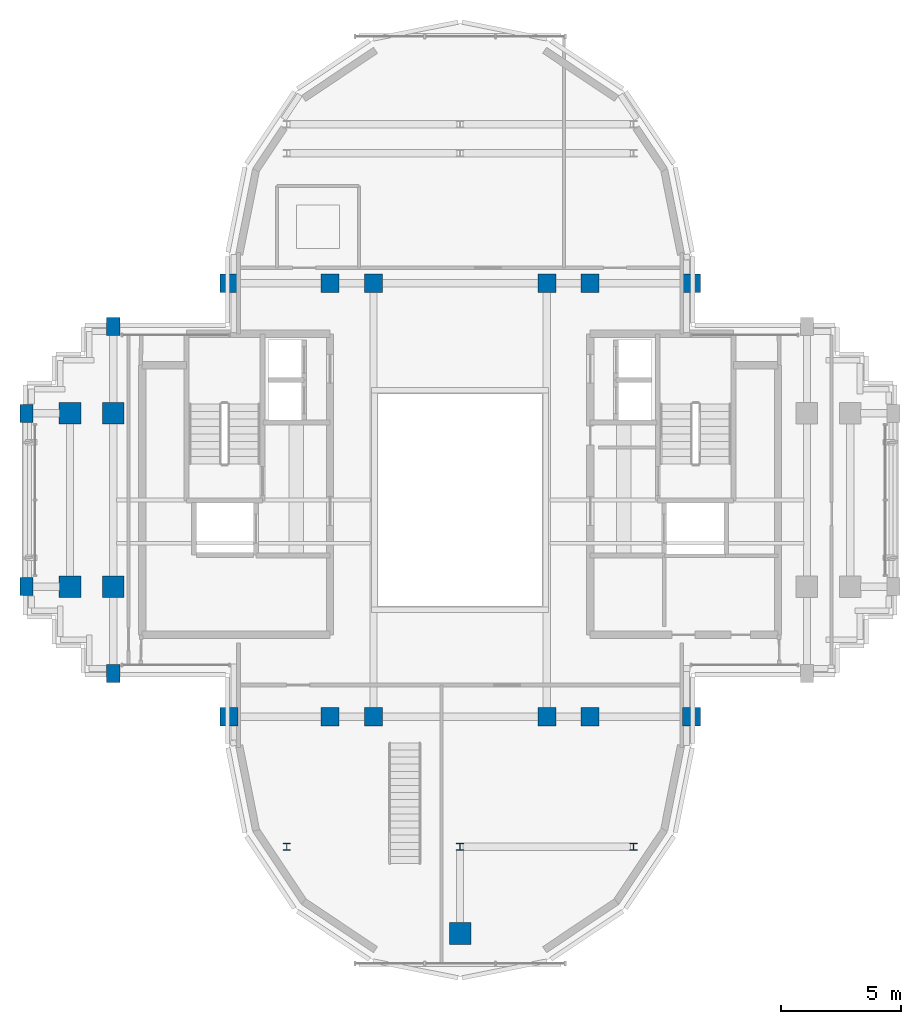
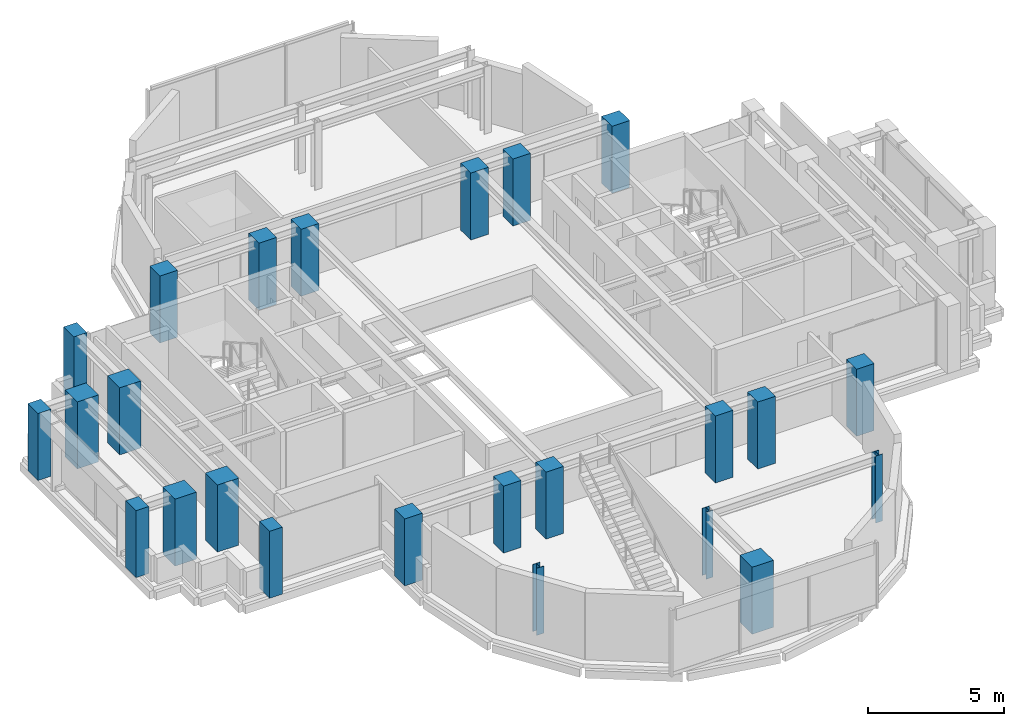
# One storey, part 1 of 12: 24 columns.
"""IFC4 building model written with IfcOpenShell, lengths in metres."""

from ifc_helpers import new_model, si_unit, direction, frame, origin, origin_2d, place, context, subcontext, project, spatial, rectangle, i_section, extrude, source, transform, mapped, material, material_profile, profile_set, type_object, element, save


model = new_model("IFC4")

# Units and contexts
model_context = context("Model", 3, precision=1e-05, world=origin(), true_north=direction((0.0, 1.0)))
body_context = subcontext(model_context, "Body", "Model", "MODEL_VIEW")
ifc_project = project(units=[si_unit("LENGTHUNIT", "METRE"), si_unit("AREAUNIT", "SQUARE_METRE"), si_unit("VOLUMEUNIT", "CUBIC_METRE"), si_unit("PLANEANGLEUNIT", "RADIAN"), si_unit("MASSUNIT", "GRAM", prefix="KILO")], contexts=[model_context])

# Site, building, storey
site_placement = place(None, origin())
site = spatial("IfcSite", under=ifc_project, at=site_placement, CompositionType="ELEMENT")
building_placement = place(site_placement, origin())
building = spatial("IfcBuilding", under=site, at=building_placement, Name="Keilestroom Media Tower", CompositionType="ELEMENT")
storey_placement = place(building_placement, frame((0.0, 0.0, 239.60009765625)))
storey = spatial("IfcBuildingStorey", under=building, at=storey_placement, Name="L66", CompositionType="ELEMENT", Elevation=239.60009765625)

# Columns
ifc_material_1 = material(Name="Precast concrete C40/50", Category="concrete")
ifc_material_profile_1 = material_profile(ifc_material_1, rectangle(XDim=0.550048828125, YDim=0.75, at=origin_2d()), Name="PC 750x550")
ifc_profile_set_1 = profile_set([ifc_material_profile_1], Name="Precast concrete C40/50")
column_type_1 = type_object("IfcColumnType", Name="Structural-Column-PC-750x550", PredefinedType="COLUMN", material=ifc_profile_set_1)
shared_shape_1 = source(origin(), body_context, "Body", "SweptSolid", [
    extrude(rectangle(XDim=0.550048828125, YDim=0.75, at=origin_2d()), origin(), (0.0, 0.0, 1.0), 3.010009765625),
])
for number, where, z_axis, x_axis, name in (
    (1, (-18.0, -3.60009765625, 0.0), (0.0, 0.0, 1.0), (1.0, 0.0, 0.0), "L66 Column PC-3 (-18.0,-3.6)"),
    (2, (-18.0, 3.60009765625, 0.0), (0.0, 0.0, 1.0), (1.0, 0.0, 0.0), "L66 Column PC-3 (-18.0,+3.6)"),
    (3, (-14.39990234375, -7.199951171875, 0.0), (0.0, 0.0, 1.0), (1.0, 0.0, 0.0), "L66 Column PC-3 (-14.4,-7.2)"),
    (4, (-14.39990234375, 7.199951171875, 0.0), (0.0, 0.0, 1.0), (1.0, 0.0, 0.0), "L66 Column PC-3 (-14.4,+7.2)"),
):
    element("IfcColumn", number, at=place(storey_placement, frame(where, z_axis=z_axis, x_axis=x_axis)), inside=storey, type_object=column_type_1, Name=name, PredefinedType="COLUMN", context=body_context, shape_type="MappedRepresentation", body=[
        mapped(shared_shape_1, transform((0.0, 0.0, 0.0), x_axis=(1.0, 0.0, 0.0), y_axis=(0.0, 1.0, 0.0), z_axis=(0.0, 0.0, 1.0), scale=1.0)),
    ])
ifc_material_2 = material(Name="Concrete C55/67", Category="concrete")
ifc_material_profile_2 = material_profile(ifc_material_2, rectangle(XDim=0.89990234375, YDim=0.89990234375, at=origin_2d()), Name="RC 900x900")
ifc_profile_set_2 = profile_set([ifc_material_profile_2], Name="Concrete C55/67")
column_type_2 = type_object("IfcColumnType", Name="Structural-Column-RC-900x900", PredefinedType="COLUMN", material=ifc_profile_set_2)
shared_shape_2 = source(origin(), body_context, "Body", "SweptSolid", [
    extrude(rectangle(XDim=0.89990234375, YDim=0.89990234375, at=origin_2d()), origin(), (0.0, 0.0, 1.0), 3.010009765625),
])
for number, where, z_axis, x_axis, name in (
    (5, (-16.199951171875, -3.60009765625, 0.0), (0.0, 0.0, 1.0), (1.0, 0.0, 0.0), "L66 Column MC-4 (-16.2,-3.6)"),
    (6, (-16.199951171875, 3.60009765625, 0.0), (0.0, 0.0, 1.0), (1.0, 0.0, 0.0), "L66 Column MC-4 (-16.2,+3.6)"),
    (7, (-14.39990234375, -3.60009765625, 0.0), (0.0, 0.0, 1.0), (1.0, 0.0, 0.0), "L66 Column MC-4 (-14.4,-3.6)"),
    (8, (-14.39990234375, 3.60009765625, 0.0), (0.0, 0.0, 1.0), (1.0, 0.0, 0.0), "L66 Column MC-4 (-14.4,+3.6)"),
    (9, (0.0, -18.0, 0.0), (0.0, 0.0, 1.0), (1.0, 0.0, 0.0), "L66 Column MC-4 (+0.0,-18.0)"),
):
    element("IfcColumn", number, at=place(storey_placement, frame(where, z_axis=z_axis, x_axis=x_axis)), inside=storey, type_object=column_type_2, Name=name, PredefinedType="COLUMN", context=body_context, shape_type="MappedRepresentation", body=[
        mapped(shared_shape_2, transform((0.0, 0.0, 0.0), x_axis=(1.0, 0.0, 0.0), y_axis=(0.0, 1.0, 0.0), z_axis=(0.0, 0.0, 1.0), scale=1.0)),
    ])
ifc_material_3 = material(Name="Concrete C50/60", Category="concrete")
ifc_material_profile_3 = material_profile(ifc_material_3, rectangle(XDim=0.75, YDim=0.75, at=origin_2d()), Name="RC 750x750")
ifc_profile_set_3 = profile_set([ifc_material_profile_3], Name="Concrete C50/60")
column_type_3 = type_object("IfcColumnType", Name="Structural-Column-RC-750x750", PredefinedType="COLUMN", material=ifc_profile_set_3)
shared_shape_3 = source(origin(), body_context, "Body", "SweptSolid", [
    extrude(rectangle(XDim=0.75, YDim=0.75, at=origin_2d()), origin(), (0.0, 0.0, 1.0), 3.010009765625),
])
for number, where, z_axis, x_axis, name in (
    (10, (-9.60009765625, -9.0, 0.0), (0.0, 0.0, 1.0), (1.0, 0.0, 0.0), "L66 Column MC-5 (-9.6,-9.0)"),
    (11, (-9.60009765625, 9.0, 0.0), (0.0, 0.0, 1.0), (1.0, 0.0, 0.0), "L66 Column MC-5 (-9.6,+9.0)"),
    (12, (-5.39990234375, -9.0, 0.0), (0.0, 0.0, 1.0), (1.0, 0.0, 0.0), "L66 Column MC-5 (-5.4,-9.0)"),
    (13, (-5.39990234375, 9.0, 0.0), (0.0, 0.0, 1.0), (1.0, 0.0, 0.0), "L66 Column MC-5 (-5.4,+9.0)"),
    (14, (-3.60009765625, -9.0, 0.0), (0.0, 0.0, 1.0), (1.0, 0.0, 0.0), "L66 Column MC-5 (-3.6,-9.0)"),
    (15, (-3.60009765625, 9.0, 0.0), (0.0, 0.0, 1.0), (1.0, 0.0, 0.0), "L66 Column MC-5 (-3.6,+9.0)"),
    (16, (3.60009765625, -9.0, 0.0), (0.0, 0.0, 1.0), (1.0, 0.0, 0.0), "L66 Column MC-5 (+3.6,-9.0)"),
    (17, (3.60009765625, 9.0, 0.0), (0.0, 0.0, 1.0), (1.0, 0.0, 0.0), "L66 Column MC-5 (+3.6,+9.0)"),
    (18, (5.39990234375, -9.0, 0.0), (0.0, 0.0, 1.0), (1.0, 0.0, 0.0), "L66 Column MC-5 (+5.4,-9.0)"),
    (19, (5.39990234375, 9.0, 0.0), (0.0, 0.0, 1.0), (1.0, 0.0, 0.0), "L66 Column MC-5 (+5.4,+9.0)"),
    (20, (9.60009765625, -9.0, 0.0), (0.0, 0.0, 1.0), (1.0, 0.0, 0.0), "L66 Column MC-5 (+9.6,-9.0)"),
    (21, (9.60009765625, 9.0, 0.0), (0.0, 0.0, 1.0), (1.0, 0.0, 0.0), "L66 Column MC-5 (+9.6,+9.0)"),
):
    element("IfcColumn", number, at=place(storey_placement, frame(where, z_axis=z_axis, x_axis=x_axis)), inside=storey, type_object=column_type_3, Name=name, PredefinedType="COLUMN", context=body_context, shape_type="MappedRepresentation", body=[
        mapped(shared_shape_3, transform((0.0, 0.0, 0.0), x_axis=(1.0, 0.0, 0.0), y_axis=(0.0, 1.0, 0.0), z_axis=(0.0, 0.0, 1.0), scale=1.0)),
    ])
ifc_material_4 = material(Name="Steel S355", Category="steel")
ifc_material_profile_4 = material_profile(ifc_material_4, i_section(OverallWidth=0.300048828125, OverallDepth=0.300048828125, WebThickness=0.010986328125, FlangeThickness=0.01904296875, at=origin_2d()), Name="HEB 300")
ifc_profile_set_4 = profile_set([ifc_material_profile_4], Name="Steel S355")
column_type_4 = type_object("IfcColumnType", Name="Structural-Column-HEB-300", PredefinedType="COLUMN", material=ifc_profile_set_4)
shared_shape_4 = source(origin(), body_context, "Body", "SweptSolid", [
    extrude(i_section(OverallWidth=0.300048828125, OverallDepth=0.300048828125, WebThickness=0.010986328125, FlangeThickness=0.01904296875, at=origin_2d()), origin(), (0.0, 0.0, 1.0), 3.010009765625),
])
for number, where, z_axis, x_axis, name in (
    (22, (-7.199951171875, -14.39990234375, 0.0), (0.0, 0.0, 1.0), (1.0, 0.0, 0.0), "L66 Column SC-5 (-7.2,-14.4)"),
    (23, (0.0, -14.39990234375, 0.0), (0.0, 0.0, 1.0), (1.0, 0.0, 0.0), "L66 Column SC-5 (+0.0,-14.4)"),
    (24, (7.199951171875, -14.39990234375, 0.0), (0.0, 0.0, 1.0), (1.0, 0.0, 0.0), "L66 Column SC-5 (+7.2,-14.4)"),
):
    element("IfcColumn", number, at=place(storey_placement, frame(where, z_axis=z_axis, x_axis=x_axis)), inside=storey, type_object=column_type_4, Name=name, PredefinedType="COLUMN", context=body_context, shape_type="MappedRepresentation", body=[
        mapped(shared_shape_4, transform((0.0, 0.0, 0.0), x_axis=(1.0, 0.0, 0.0), y_axis=(0.0, 1.0, 0.0), z_axis=(0.0, 0.0, 1.0), scale=1.0)),
    ])

save(model, "model.ifc")
